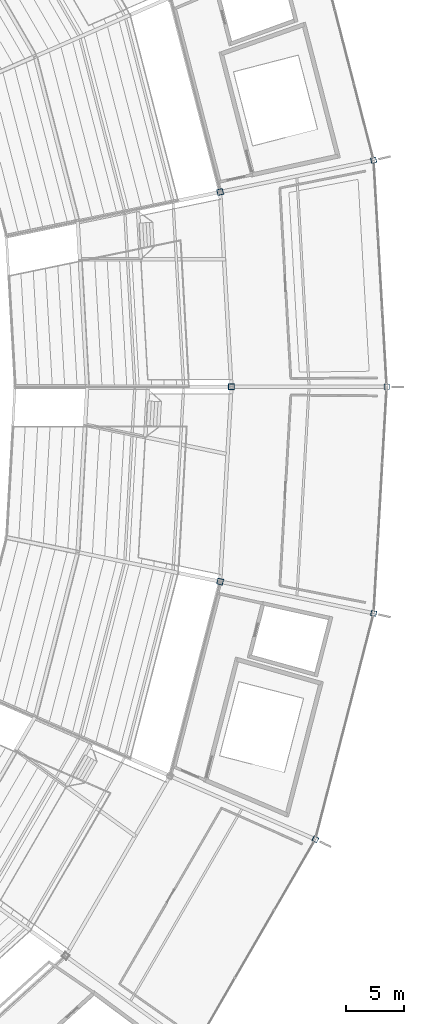
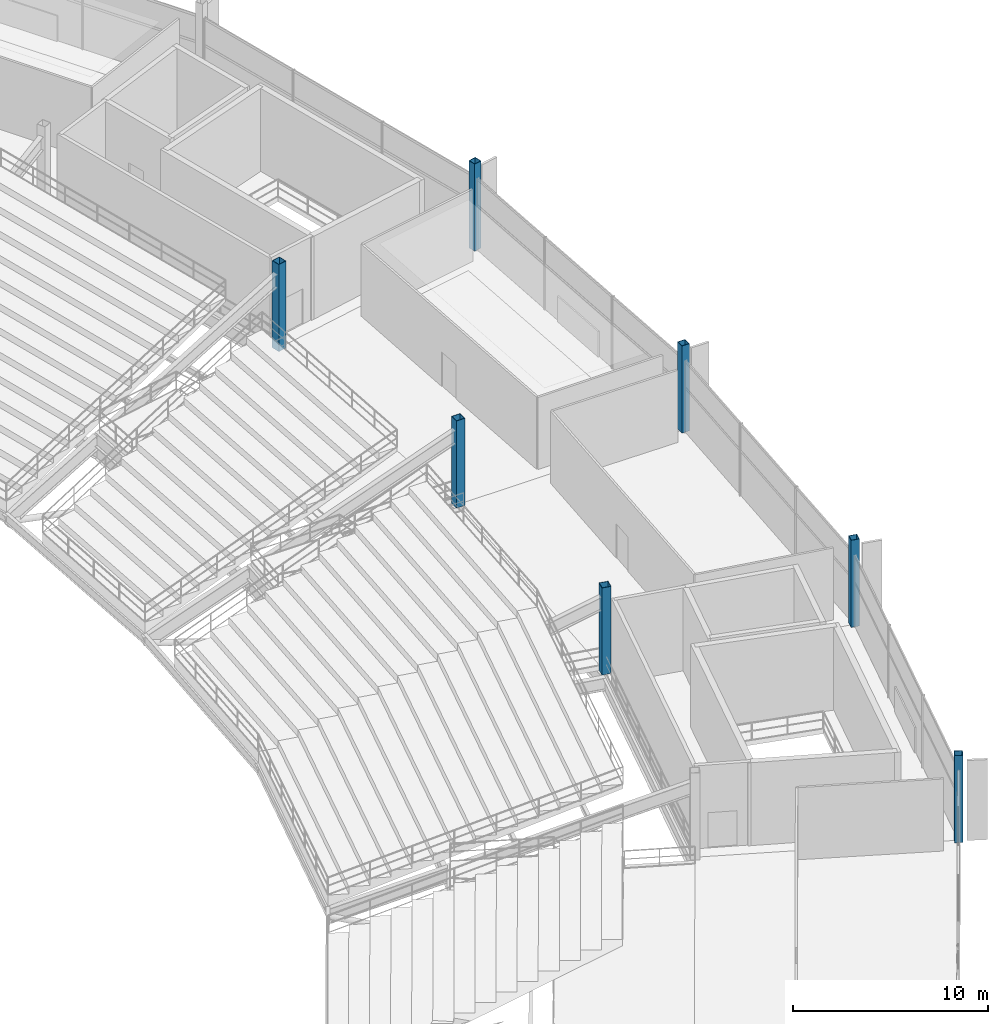
# One storey, part 6 of 186: 7 columns.
"""IFC4 building model written with IfcOpenShell, lengths in metres."""

from ifc_helpers import new_model, si_unit, direction, frame, origin, origin_2d, place, context, subcontext, project, spatial, hollow_rectangle, extrude, material, material_profile, profile_set, type_object, element, save


model = new_model("IFC4")

# Units and contexts
model_context = context("Model", 3, precision=1e-05, world=origin(), true_north=direction((0.0, 1.0)))
body_context = subcontext(model_context, "Body", "Model", "MODEL_VIEW")
ifc_project = project(units=[si_unit("LENGTHUNIT", "METRE"), si_unit("AREAUNIT", "SQUARE_METRE"), si_unit("VOLUMEUNIT", "CUBIC_METRE"), si_unit("PLANEANGLEUNIT", "RADIAN"), si_unit("MASSUNIT", "GRAM", prefix="KILO")], contexts=[model_context])

# Site, building, storey
site_placement = place(None, origin())
site = spatial("IfcSite", under=ifc_project, at=site_placement, CompositionType="ELEMENT")
building_placement = place(site_placement, origin())
building = spatial("IfcBuilding", under=site, at=building_placement, Name="Kazemori Nagisa Stadium", CompositionType="ELEMENT")
storey_placement = place(building_placement, frame((0.0, 0.0, 20.39990234375)))
storey = spatial("IfcBuildingStorey", under=building, at=storey_placement, Name="L04", CompositionType="ELEMENT", Elevation=20.39990234375)

# Columns
ifc_material = material(Name="Steel STKR490", Category="steel")
ifc_material_profile_1 = material_profile(ifc_material, hollow_rectangle(XDim=0.449951171875, YDim=0.449951171875, WallThickness=0.02197265625, at=origin_2d()), Name="SHS-450x450x22")
ifc_profile_set_1 = profile_set([ifc_material_profile_1], Name="Steel STKR490")
column_type_1 = type_object("IfcColumnType", Name="Column_C-ST450", PredefinedType="COLUMN", material=ifc_profile_set_1)
for number, where, z_axis, x_axis, name in (
    (1, (218.0, 102.0, 0.0), (0.0, 0.0, 1.0), (1.0, 0.0, 0.0), "Column C-ST450 L04 R3-01"),
    (2, (216.880859375, 121.397705078125, 0.0), (0.0, 0.0, 1.0), (0.974927912182, 0.222520933954, 0.0), "Column C-ST450 L04 R3-02"),
    (3, (211.885009765625, 63.25048828125, 0.0), (0.0, 0.0, 1.0), (0.900968867905, -0.433883739113, 0.0), "Column C-ST450 L04 R3-27"),
    (4, (216.880859375, 82.602294921875, 0.0), (0.0, 0.0, 1.0), (0.974927912182, -0.222520933954, 0.0), "Column C-ST450 L04 R3-28"),
):
    element("IfcColumn", number, at=place(storey_placement, frame(where, z_axis=z_axis, x_axis=x_axis)), inside=storey, type_object=column_type_1, Name=name, PredefinedType="COLUMN", context=body_context, shape_type="SweptSolid", body=[
        extrude(hollow_rectangle(XDim=0.449951171875, YDim=0.449951171875, WallThickness=0.02197265625, at=origin_2d()), origin(), (0.0, 0.0, 1.0), 5.440185546875),
    ])
ifc_material_profile_2 = material_profile(ifc_material, hollow_rectangle(XDim=0.5, YDim=0.5, WallThickness=0.02197265625, at=origin_2d()), Name="SHS-500x500x22")
ifc_profile_set_2 = profile_set([ifc_material_profile_2], Name="Steel STKR490")
column_type_2 = type_object("IfcColumnType", Name="Column_C-ST500", PredefinedType="COLUMN", material=ifc_profile_set_2)
for number, where, z_axis, x_axis, name in (
    (5, (204.699951171875, 102.0, 0.0), (0.0, 0.0, 1.0), (1.0, 0.0, 0.0), "Column C-ST500 L04 R2-01"),
    (6, (203.737548828125, 118.68212890625, 0.0), (0.0, 0.0, 1.0), (0.974927912182, 0.222520933954, 0.0), "Column C-ST500 L04 R2-02"),
    (7, (203.737548828125, 85.31787109375, 0.0), (0.0, 0.0, 1.0), (0.974927912182, -0.222520933954, 0.0), "Column C-ST500 L04 R2-28"),
):
    element("IfcColumn", number, at=place(storey_placement, frame(where, z_axis=z_axis, x_axis=x_axis)), inside=storey, type_object=column_type_2, Name=name, PredefinedType="COLUMN", context=body_context, shape_type="SweptSolid", body=[
        extrude(hollow_rectangle(XDim=0.5, YDim=0.5, WallThickness=0.02197265625, at=origin_2d()), origin(), (0.0, 0.0, 1.0), 5.440185546875),
    ])

save(model, "model.ifc")
